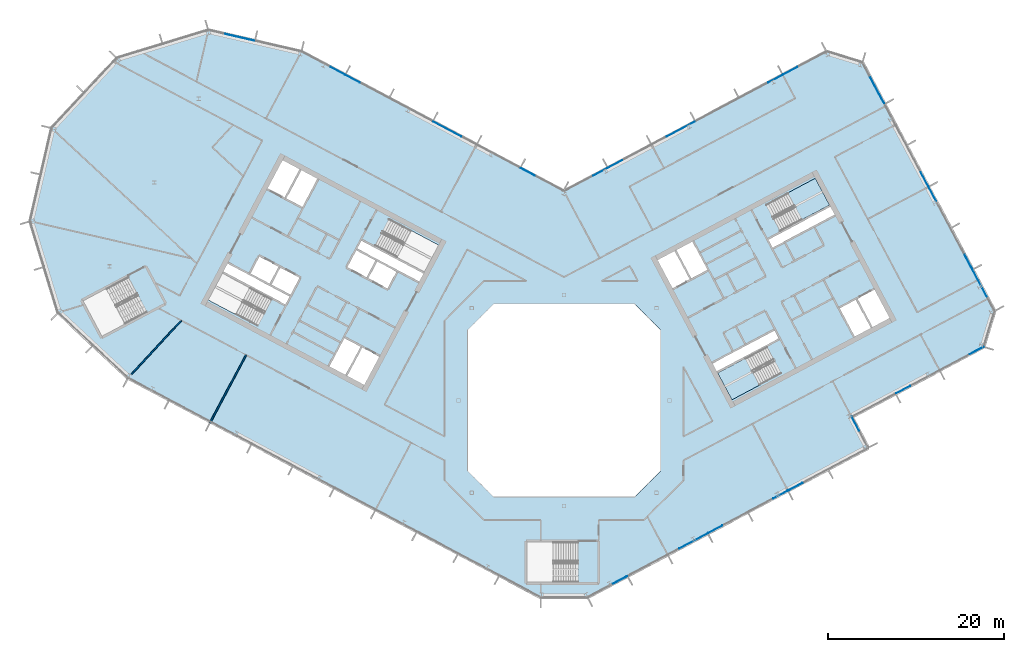
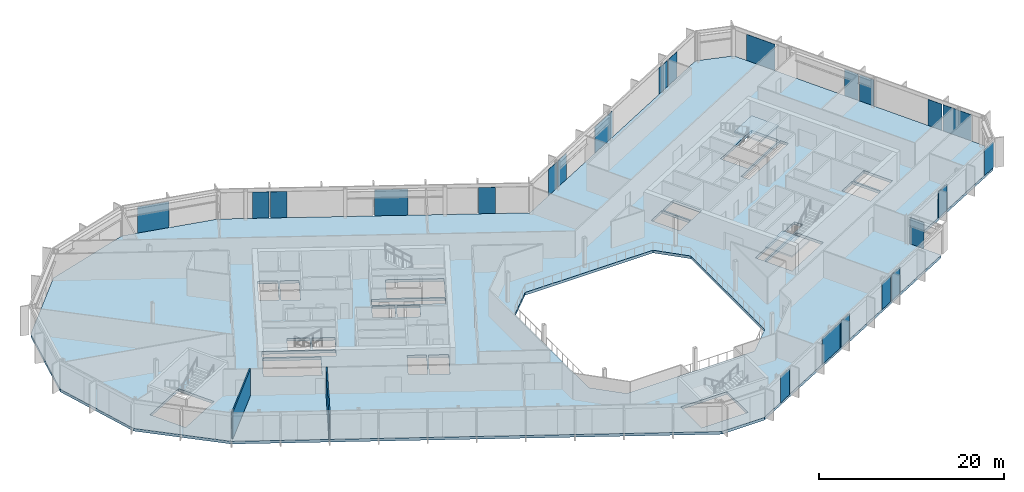
# One storey, part 12 of 27: 23 plates, 3 slabs, 2 walls, 9 elements without a shape of their own.
"""IFC4 building model written with IfcOpenShell, lengths in metres."""

from ifc_helpers import new_model, si_unit, direction, frame, frame_2d, origin, origin_2d, place, context, subcontext, project, spatial, polyline, rectangle, outline, extrude, material, layer, layer_set, type_object, element, aggregate, save


model = new_model("IFC4")

# Units and contexts
model_context = context("Model", 3, precision=1e-05, world=origin(), true_north=direction((0.0, 1.0)))
body_context = subcontext(model_context, "Body", "Model", "MODEL_VIEW")
ifc_project = project(units=[si_unit("LENGTHUNIT", "METRE"), si_unit("AREAUNIT", "SQUARE_METRE"), si_unit("VOLUMEUNIT", "CUBIC_METRE"), si_unit("PLANEANGLEUNIT", "RADIAN"), si_unit("MASSUNIT", "GRAM", prefix="KILO")], contexts=[model_context])

# Site, building, storey
site_placement = place(None, origin())
site = spatial("IfcSite", under=ifc_project, at=site_placement, CompositionType="ELEMENT")
building_placement = place(site_placement, origin())
building = spatial("IfcBuilding", under=site, at=building_placement, Name="Cormorant Relay Tower", CompositionType="ELEMENT")
storey_placement = place(building_placement, frame((0.0, 0.0, 240.300048828125)))
storey = spatial("IfcBuildingStorey", under=building, at=storey_placement, Name="L53", CompositionType="ELEMENT", Elevation=240.300048828125)

# Curtain wall, plates
ifc_material_1 = material(Name="Aluminium 6063-T6 anodised bronze", Category="aluminium")
ifc_layer_1 = layer(ifc_material_1, 0.199951171875)
ifc_layer_set_1 = layer_set([ifc_layer_1], Name="CW1 unitised bronze curtain wall with vertical fins")
curtain_wall_type = type_object("IfcCurtainWallType", Name="CW1 unitised bronze curtain wall with vertical fins", PredefinedType="NOTDEFINED", material=ifc_layer_set_1)
curtain_wall_1_placement = place(storey_placement, origin())
curtain_wall_1 = element("IfcCurtainWall", 1, at=curtain_wall_1_placement, inside=storey, type_object=curtain_wall_type, Name="CW1 curtain wall 2", PredefinedType="NOTDEFINED")
ifc_material_2 = material(Name="Tinted laminated glass", Category="glass")
ifc_layer_2 = layer(ifc_material_2, 0.0400390625)
ifc_layer_set_2 = layer_set([ifc_layer_2], Name="CW1 tinted vision panel 1800 module")
plate_type_1 = type_object("IfcPlateType", Name="CW1 tinted vision panel 1800 module", PredefinedType="CURTAIN_PANEL", material=ifc_layer_set_2)
plate_1_placement = place(storey_placement, frame((6.359130859375, -20.42529296875, 0.0), z_axis=(0.0, 0.0, 1.0), x_axis=(0.882947592859, 0.469471562786, 0.0)))
plate_1 = element("IfcPlate", 2, at=plate_1_placement, type_object=plate_type_1, Name="CW1 panel V01", PredefinedType="CURTAIN_PANEL", context=body_context, shape_type="SweptSolid", body=[
    extrude(rectangle(XDim=1.800048828125, YDim=0.0400390625, at=origin_2d()), origin(), (0.0, 0.0, 1.0), 3.449951171875),
])
plate_2_placement = place(storey_placement, frame((17.20458984375, -14.65869140625, 0.0), z_axis=(0.0, 0.0, 1.0), x_axis=(0.882947592859, 0.469471562786, 0.0)))
plate_2 = element("IfcPlate", 3, at=plate_2_placement, type_object=plate_type_1, Name="CW1 panel V04", PredefinedType="CURTAIN_PANEL", context=body_context, shape_type="SweptSolid", body=[
    extrude(rectangle(XDim=1.800048828125, YDim=0.0400390625, at=origin_2d()), origin(), (0.0, 0.0, 1.0), 3.449951171875),
])
plate_3_placement = place(storey_placement, frame((24.6064453125, -10.72314453125, 0.0), z_axis=(0.0, 0.0, 1.0), x_axis=(0.882947592859, 0.469471562786, 0.0)))
plate_3 = element("IfcPlate", 4, at=plate_3_placement, type_object=plate_type_1, Name="CW1 panel V06", PredefinedType="CURTAIN_PANEL", context=body_context, shape_type="SweptSolid", body=[
    extrude(rectangle(XDim=1.800048828125, YDim=0.0400390625, at=origin_2d()), origin(), (0.0, 0.0, 1.0), 3.449951171875),
])
plate_4_placement = place(storey_placement, frame((26.328125, -9.8076171875, 0.0), z_axis=(0.0, 0.0, 1.0), x_axis=(0.882947592859, 0.469471562786, 0.0)))
plate_4 = element("IfcPlate", 5, at=plate_4_placement, type_object=plate_type_1, Name="CW1 panel V07", PredefinedType="CURTAIN_PANEL", context=body_context, shape_type="SweptSolid", body=[
    extrude(rectangle(XDim=1.800048828125, YDim=0.0400390625, at=origin_2d()), origin(), (0.0, 0.0, 1.0), 3.449951171875),
])

# Curtain wall, plate
curtain_wall_2_placement = place(storey_placement, origin())
curtain_wall_2 = element("IfcCurtainWall", 6, at=curtain_wall_2_placement, inside=storey, type_object=curtain_wall_type, Name="CW1 curtain wall 3", PredefinedType="NOTDEFINED")
plate_5_placement = place(storey_placement, frame((33.143798828125, -2.650146484375, 0.0), z_axis=(0.0, 0.0, 1.0), x_axis=(-0.469471562786, 0.882947592859, 0.0)))
plate_5 = element("IfcPlate", 7, at=plate_5_placement, type_object=plate_type_1, Name="CW1 panel V01", PredefinedType="CURTAIN_PANEL", context=body_context, shape_type="SweptSolid", body=[
    extrude(rectangle(XDim=1.800048828125, YDim=0.0400390625, at=origin_2d()), origin(), (0.0, 0.0, 1.0), 3.449951171875),
])
aggregate(curtain_wall_2, [plate_5])

# Curtain wall, plates
curtain_wall_3_placement = place(storey_placement, origin())
curtain_wall_3 = element("IfcCurtainWall", 8, at=curtain_wall_3_placement, inside=storey, type_object=curtain_wall_type, Name="CW1 curtain wall 4", PredefinedType="NOTDEFINED")
plate_6_placement = place(storey_placement, frame((38.5771484375, 1.235595703125, 0.0), z_axis=(0.0, 0.0, 1.0), x_axis=(0.882947592859, 0.469471562786, 0.0)))
plate_6 = element("IfcPlate", 9, at=plate_6_placement, type_object=plate_type_1, Name="CW1 panel V01", PredefinedType="CURTAIN_PANEL", context=body_context, shape_type="SweptSolid", body=[
    extrude(rectangle(XDim=1.800048828125, YDim=0.0400390625, at=origin_2d()), origin(), (0.0, 0.0, 1.0), 3.449951171875),
])
plate_7_placement = place(storey_placement, frame((46.928466796875, 5.67578125, 0.0), z_axis=(0.0, 0.0, 1.0), x_axis=(0.882947592859, 0.469471562786, 0.0)))
plate_7 = element("IfcPlate", 10, at=plate_7_placement, type_object=plate_type_1, Name="CW1 panel V03", PredefinedType="CURTAIN_PANEL", context=body_context, shape_type="SweptSolid", body=[
    extrude(rectangle(XDim=1.800048828125, YDim=0.0400390625, at=origin_2d()), origin(), (0.0, 0.0, 1.0), 3.449951171875),
])
aggregate(curtain_wall_3, [plate_6, plate_7])

curtain_wall_4_placement = place(storey_placement, origin())
curtain_wall_4 = element("IfcCurtainWall", 11, at=curtain_wall_4_placement, inside=storey, type_object=curtain_wall_type, Name="CW1 curtain wall 6", PredefinedType="NOTDEFINED")
plate_8_placement = place(storey_placement, frame((46.01025390625, 15.752685546875, 0.0), z_axis=(0.0, 0.0, 1.0), x_axis=(-0.469471562786, 0.882947592859, 0.0)))
plate_8 = element("IfcPlate", 12, at=plate_8_placement, type_object=plate_type_1, Name="CW1 panel V02", PredefinedType="CURTAIN_PANEL", context=body_context, shape_type="SweptSolid", body=[
    extrude(rectangle(XDim=1.800048828125, YDim=0.0400390625, at=origin_2d()), origin(), (0.0, 0.0, 1.0), 3.449951171875),
])
plate_9_placement = place(storey_placement, frame((41.91796875, 23.448974609375, 0.0), z_axis=(0.0, 0.0, 1.0), x_axis=(-0.469471562786, 0.882947592859, 0.0)))
plate_9 = element("IfcPlate", 13, at=plate_9_placement, type_object=plate_type_1, Name="CW1 panel V04", PredefinedType="CURTAIN_PANEL", context=body_context, shape_type="SweptSolid", body=[
    extrude(rectangle(XDim=1.800048828125, YDim=0.0400390625, at=origin_2d()), origin(), (0.0, 0.0, 1.0), 3.449951171875),
])
plate_10_placement = place(storey_placement, frame((41.00244140625, 25.1708984375, 0.0), z_axis=(0.0, 0.0, 1.0), x_axis=(-0.469471562786, 0.882947592859, 0.0)))
plate_10 = element("IfcPlate", 14, at=plate_10_placement, type_object=plate_type_1, Name="CW1 panel V05", PredefinedType="CURTAIN_PANEL", context=body_context, shape_type="SweptSolid", body=[
    extrude(rectangle(XDim=1.800048828125, YDim=0.0400390625, at=origin_2d()), origin(), (0.0, 0.0, 1.0), 3.449951171875),
])

curtain_wall_5_placement = place(storey_placement, origin())
curtain_wall_5 = element("IfcCurtainWall", 15, at=curtain_wall_5_placement, inside=storey, type_object=curtain_wall_type, Name="CW1 curtain wall 8", PredefinedType="NOTDEFINED")
plate_11_placement = place(storey_placement, frame((25.746337890625, 37.49609375, 0.0), z_axis=(0.0, 0.0, 1.0), x_axis=(-0.882947592859, -0.469471562786, 0.0)))
plate_11 = element("IfcPlate", 16, at=plate_11_placement, type_object=plate_type_1, Name="CW1 panel V01", PredefinedType="CURTAIN_PANEL", context=body_context, shape_type="SweptSolid", body=[
    extrude(rectangle(XDim=1.800048828125, YDim=0.0400390625, at=origin_2d()), origin(), (0.0, 0.0, 1.0), 3.449951171875),
])
plate_12_placement = place(storey_placement, frame((24.0244140625, 36.580810546875, 0.0), z_axis=(0.0, 0.0, 1.0), x_axis=(-0.882947592859, -0.469471562786, 0.0)))
plate_12 = element("IfcPlate", 17, at=plate_12_placement, type_object=plate_type_1, Name="CW1 panel V02", PredefinedType="CURTAIN_PANEL", context=body_context, shape_type="SweptSolid", body=[
    extrude(rectangle(XDim=1.800048828125, YDim=0.0400390625, at=origin_2d()), origin(), (0.0, 0.0, 1.0), 3.449951171875),
])
plate_13_placement = place(storey_placement, frame((5.830322265625, 26.90673828125, 0.0), z_axis=(0.0, 0.0, 1.0), x_axis=(-0.882947592859, -0.469471562786, 0.0)))
plate_13 = element("IfcPlate", 18, at=plate_13_placement, type_object=plate_type_1, Name="CW1 panel V06", PredefinedType="CURTAIN_PANEL", context=body_context, shape_type="SweptSolid", body=[
    extrude(rectangle(XDim=1.800048828125, YDim=0.0400390625, at=origin_2d()), origin(), (0.0, 0.0, 1.0), 3.449951171875),
])
plate_14_placement = place(storey_placement, frame((4.108642578125, 25.9912109375, 0.0), z_axis=(0.0, 0.0, 1.0), x_axis=(-0.882947592859, -0.469471562786, 0.0)))
plate_14 = element("IfcPlate", 19, at=plate_14_placement, type_object=plate_type_1, Name="CW1 panel V07", PredefinedType="CURTAIN_PANEL", context=body_context, shape_type="SweptSolid", body=[
    extrude(rectangle(XDim=1.800048828125, YDim=0.0400390625, at=origin_2d()), origin(), (0.0, 0.0, 1.0), 3.449951171875),
])

curtain_wall_6_placement = place(storey_placement, origin())
curtain_wall_6 = element("IfcCurtainWall", 20, at=curtain_wall_6_placement, inside=storey, type_object=curtain_wall_type, Name="CW1 curtain wall 9", PredefinedType="NOTDEFINED")
plate_15_placement = place(storey_placement, frame((-4.108642578125, 25.9912109375, 0.0), z_axis=(0.0, 0.0, 1.0), x_axis=(-0.882947592859, 0.469471562786, 0.0)))
plate_15 = element("IfcPlate", 21, at=plate_15_placement, type_object=plate_type_1, Name="CW1 panel V01", PredefinedType="CURTAIN_PANEL", context=body_context, shape_type="SweptSolid", body=[
    extrude(rectangle(XDim=1.800048828125, YDim=0.0400390625, at=origin_2d()), origin(), (0.0, 0.0, 1.0), 3.449951171875),
])
plate_16_placement = place(storey_placement, frame((-24.0244140625, 36.580810546875, 0.0), z_axis=(0.0, 0.0, 1.0), x_axis=(-0.882947592859, 0.469471562786, 0.0)))
plate_16 = element("IfcPlate", 22, at=plate_16_placement, type_object=plate_type_1, Name="CW1 panel V05", PredefinedType="CURTAIN_PANEL", context=body_context, shape_type="SweptSolid", body=[
    extrude(rectangle(XDim=1.800048828125, YDim=0.0400390625, at=origin_2d()), origin(), (0.0, 0.0, 1.0), 3.449951171875),
])
plate_17_placement = place(storey_placement, frame((-25.746337890625, 37.49609375, 0.0), z_axis=(0.0, 0.0, 1.0), x_axis=(-0.882947592859, 0.469471562786, 0.0)))
plate_17 = element("IfcPlate", 23, at=plate_17_placement, type_object=plate_type_1, Name="CW1 panel V06", PredefinedType="CURTAIN_PANEL", context=body_context, shape_type="SweptSolid", body=[
    extrude(rectangle(XDim=1.800048828125, YDim=0.0400390625, at=origin_2d()), origin(), (0.0, 0.0, 1.0), 3.449951171875),
])

# Plate
ifc_material_3 = material(Name="Tinted laminated glass", Category="glass")
ifc_layer_3 = layer(ifc_material_3, 0.0400390625)
ifc_layer_set_3 = layer_set([ifc_layer_3], Name="CW1 tinted vision panel 3600 module")
plate_type_2 = type_object("IfcPlateType", Name="CW1 tinted vision panel 3600 module", PredefinedType="CURTAIN_PANEL", material=ifc_layer_set_3)
plate_18_placement = place(storey_placement, frame((14.68798828125, -15.996826171875, 0.0), z_axis=(0.0, 0.0, 1.0), x_axis=(0.882947592859, 0.469471562786, 0.0)))
plate_18 = element("IfcPlate", 24, at=plate_18_placement, type_object=plate_type_2, Name="CW1 panel V03", PredefinedType="CURTAIN_PANEL", context=body_context, shape_type="SweptSolid", body=[
    extrude(rectangle(XDim=3.60009765625, YDim=0.0400390625, at=origin_2d()), origin(), (0.0, 0.0, 1.0), 3.449951171875),
])

aggregate(curtain_wall_1, [plate_1, plate_18, plate_2, plate_3, plate_4])

plate_19_placement = place(storey_placement, frame((47.34814453125, 13.236328125, 0.0), z_axis=(0.0, 0.0, 1.0), x_axis=(-0.469471562786, 0.882947592859, 0.0)))
plate_19 = element("IfcPlate", 25, at=plate_19_placement, type_object=plate_type_2, Name="CW1 panel V01", PredefinedType="CURTAIN_PANEL", context=body_context, shape_type="SweptSolid", body=[
    extrude(rectangle(XDim=3.60009765625, YDim=0.0400390625, at=origin_2d()), origin(), (0.0, 0.0, 1.0), 3.449951171875),
])

plate_20_placement = place(storey_placement, frame((35.572265625, 35.383544921875, 0.0), z_axis=(0.0, 0.0, 1.0), x_axis=(-0.469471562786, 0.882947592859, 0.0)))
plate_20 = element("IfcPlate", 26, at=plate_20_placement, type_object=plate_type_2, Name="CW1 panel V07", PredefinedType="CURTAIN_PANEL", context=body_context, shape_type="SweptSolid", body=[
    extrude(rectangle(XDim=3.60009765625, YDim=0.0400390625, at=origin_2d()), origin(), (0.0, 0.0, 1.0), 3.449951171875),
])

aggregate(curtain_wall_4, [plate_19, plate_8, plate_9, plate_10, plate_20])

plate_21_placement = place(storey_placement, frame((13.27197265625, 30.86328125, 0.0), z_axis=(0.0, 0.0, 1.0), x_axis=(-0.882947592859, -0.469471562786, 0.0)))
plate_21 = element("IfcPlate", 27, at=plate_21_placement, type_object=plate_type_2, Name="CW1 panel V04", PredefinedType="CURTAIN_PANEL", context=body_context, shape_type="SweptSolid", body=[
    extrude(rectangle(XDim=3.60009765625, YDim=0.0400390625, at=origin_2d()), origin(), (0.0, 0.0, 1.0), 3.449951171875),
])

aggregate(curtain_wall_5, [plate_11, plate_12, plate_21, plate_13, plate_14])

plate_22_placement = place(storey_placement, frame((-13.27197265625, 30.86328125, 0.0), z_axis=(0.0, 0.0, 1.0), x_axis=(-0.882947592859, 0.469471562786, 0.0)))
plate_22 = element("IfcPlate", 28, at=plate_22_placement, type_object=plate_type_2, Name="CW1 panel V03", PredefinedType="CURTAIN_PANEL", context=body_context, shape_type="SweptSolid", body=[
    extrude(rectangle(XDim=3.60009765625, YDim=0.0400390625, at=origin_2d()), origin(), (0.0, 0.0, 1.0), 3.449951171875),
])

aggregate(curtain_wall_6, [plate_15, plate_22, plate_16, plate_17])

# Curtain wall, plate
curtain_wall_7_placement = place(storey_placement, origin())
curtain_wall_7 = element("IfcCurtainWall", 29, at=curtain_wall_7_placement, inside=storey, type_object=curtain_wall_type, Name="CW1 curtain wall 10", PredefinedType="NOTDEFINED")
plate_23_placement = place(storey_placement, frame((-36.9921875, 41.33203125, 0.0), z_axis=(0.0, 0.0, 1.0), x_axis=(-0.974370064785, 0.224951054344, 0.0)))
plate_23 = element("IfcPlate", 30, at=plate_23_placement, type_object=plate_type_2, Name="CW1 panel V01", PredefinedType="CURTAIN_PANEL", context=body_context, shape_type="SweptSolid", body=[
    extrude(rectangle(XDim=3.60009765625, YDim=0.0400390625, at=origin_2d()), origin(), (0.0, 0.0, 1.0), 3.449951171875),
])
aggregate(curtain_wall_7, [plate_23])

# Stair, slab
ifc_material_4 = material(Name="Concrete 40 MPa", Category="concrete")
stair_type = type_object("IfcStairType", Name="Exit stair 1500", PredefinedType="HALF_TURN_STAIR", material=ifc_material_4)
stair_1_placement = place(storey_placement, origin())
stair_1 = element("IfcStair", 31, at=stair_1_placement, inside=storey, type_object=stair_type, Name="L53 Stair", PredefinedType="HALF_TURN_STAIR")
ifc_material_5 = material(Name="Concrete 40 MPa", Category="concrete")
ifc_layer_4 = layer(ifc_material_5, 0.199951171875)
ifc_layer_set_4 = layer_set([ifc_layer_4], Name="Exit stair landing 200")
slab_type_1 = type_object("IfcSlabType", Name="Exit stair landing 200", PredefinedType="LANDING", material=ifc_layer_set_4)
slab_1_placement = place(storey_placement, frame((0.0, 0.0, 1.75)))
slab_1 = element("IfcSlab", 32, at=slab_1_placement, type_object=slab_type_1, Name="B1 landing 1", PredefinedType="LANDING", context=body_context, shape_type="SweptSolid", body=[
    extrude(outline(polyline([(20.614990234375, 4.78857421875), (17.48046875, 3.1220703125), (19.10009765625, 0.075927734375), (22.234619140625, 1.742431640625), (20.614990234375, 4.78857421875)])), origin(), (0.0, 0.0, 1.0), 0.199951171875),
])
aggregate(stair_1, [slab_1])

stair_2_placement = place(storey_placement, origin())
stair_2 = element("IfcStair", 33, at=stair_2_placement, inside=storey, type_object=stair_type, Name="L53 Stair", PredefinedType="HALF_TURN_STAIR")
slab_2_placement = place(storey_placement, frame((0.0, 0.0, 1.75)))
slab_2 = element("IfcSlab", 34, at=slab_2_placement, type_object=slab_type_1, Name="B2 landing 1", PredefinedType="LANDING", context=body_context, shape_type="SweptSolid", body=[
    extrude(outline(polyline([(27.064208984375, 20.562744140625), (30.19873046875, 22.2294921875), (28.5791015625, 25.275634765625), (25.444580078125, 23.60888671875), (27.064208984375, 20.562744140625)])), origin(), (0.0, 0.0, 1.0), 0.199951171875),
])
aggregate(stair_2, [slab_2])

# Slab
ifc_material_6 = material(Name="Concrete 40 MPa", Category="concrete")
ifc_layer_5 = layer(ifc_material_6, 0.360107421875)
ifc_layer_set_5 = layer_set([ifc_layer_5], Name="Flat plate 360")
slab_type_2 = type_object("IfcSlabType", Name="Flat plate 360", PredefinedType="FLOOR", material=ifc_layer_set_5)
slab_3_placement = place(storey_placement, frame((0.0, 0.0, -0.360107421875)))
element("IfcSlab", 35, at=slab_3_placement, inside=storey, type_object=slab_type_2, Name="Floor slab L53", PredefinedType="FLOOR", context=body_context, shape_type="SweptSolid", body=[
    extrude(outline(polyline([(-60.7197265625, 20.393310546875), (-58.2744140625, 30.985107421875), (-50.86083984375, 38.935302734375), (-40.465576171875, 42.11328125), (-29.873779296875, 39.668212890625), (0.0, 23.783935546875), (29.873779296875, 39.668212890625), (33.930908203125, 38.427734375), (48.9541015625, 10.17333984375), (47.713623046875, 6.1162109375), (32.70361328125, -1.864990234375), (34.581298828125, -5.396728515625), (2.648681640625, -22.37548828125), (-2.648681640625, -22.37548828125), (-49.591552734375, 2.584228515625), (-57.541748046875, 9.997802734375), (-60.7197265625, 20.393310546875)]), holes=[polyline([(11.0, -8.0), (11.0, 8.0), (8.0, 11.0), (-8.0, 11.0), (-11.0, 8.0), (-11.0, -8.0), (-8.0, -11.0), (8.0, -11.0), (11.0, -8.0)]), polyline([(-22.95458984375, 6.03271484375), (-24.668212890625, 2.81005859375), (-22.725830078125, 1.777099609375), (-21.01220703125, 5.0), (-23.04296875, 6.07958984375), (-22.95458984375, 6.03271484375)]), polyline([(-24.985595703125, 7.112548828125), (-26.69921875, 3.889892578125), (-24.844970703125, 2.90380859375), (-23.13134765625, 6.126708984375), (-23.04296875, 6.07958984375), (-24.985595703125, 7.112548828125)]), polyline([(-54.69970703125, 11.330810546875), (-52.563720703125, 7.3134765625), (-47.442626953125, 10.036376953125), (-49.57861328125, 14.0537109375), (-54.69970703125, 11.330810546875)]), polyline([(-33.240966796875, 11.502197265625), (-38.847900390625, 14.483154296875), (-40.46728515625, 11.43701171875), (-34.860595703125, 8.455810546875), (-33.240966796875, 11.502197265625)]), polyline([(-38.260986328125, 15.5869140625), (-38.75390625, 14.659912109375), (-31.690185546875, 10.904052734375), (-31.197265625, 11.8310546875), (-38.260986328125, 15.5869140625)]), polyline([(-31.103515625, 12.0078125), (-30.070556640625, 13.9501953125), (-32.278076171875, 15.123779296875), (-33.310791015625, 13.181396484375), (-31.103515625, 12.0078125)]), polyline([(-22.2880859375, 13.889404296875), (-20.080810546875, 12.7158203125), (-19.048095703125, 14.658203125), (-21.25537109375, 15.831787109375), (-22.2880859375, 13.889404296875)]), polyline([(-34.661865234375, 16.3916015625), (-35.69482421875, 14.448974609375), (-33.4873046875, 13.275390625), (-32.45458984375, 15.2177734375), (-34.661865234375, 16.3916015625)]), polyline([(-22.46484375, 13.9833984375), (-21.431884765625, 15.92578125), (-23.639404296875, 17.099609375), (-24.672119140625, 15.156982421875), (-22.46484375, 13.9833984375)]), polyline([(-31.611572265625, 22.980712890625), (-29.75732421875, 21.99462890625), (-28.043701171875, 25.217529296875), (-29.89794921875, 26.203369140625), (-31.611572265625, 22.980712890625)]), polyline([(-32.01708984375, 27.330078125), (-33.73046875, 24.107421875), (-31.7880859375, 23.074462890625), (-30.074462890625, 26.29736328125), (-32.01708984375, 27.330078125)]), polyline([(-4.199951171875, -16.125), (-4.199951171875, -20.675048828125), (1.60009765625, -20.675048828125), (1.60009765625, -16.125), (-4.199951171875, -16.125)]), polyline([(17.48046875, 3.1220703125), (19.10009765625, 0.07568359375), (24.706787109375, 3.056884765625), (23.087158203125, 6.10302734375), (17.48046875, 3.1220703125)]), polyline([(17.386474609375, 3.298583984375), (24.4501953125, 7.054443359375), (23.957275390625, 7.9814453125), (16.8935546875, 4.2255859375), (17.386474609375, 3.298583984375)]), polyline([(33.197021484375, 11.478515625), (31.3427734375, 10.49267578125), (33.056396484375, 7.27001953125), (34.910400390625, 8.255859375), (33.197021484375, 11.478515625)]), polyline([(33.37353515625, 11.572509765625), (35.087158203125, 8.349609375), (37.029541015625, 9.382568359375), (35.31591796875, 12.605224609375), (33.37353515625, 11.572509765625)]), polyline([(14.3056640625, 13.779052734375), (12.592041015625, 17.001708984375), (10.649658203125, 15.968994140625), (12.36328125, 12.74609375), (14.39404296875, 13.825927734375), (14.3056640625, 13.779052734375)]), polyline([(16.33642578125, 14.85888671875), (14.622802734375, 18.08154296875), (12.768798828125, 17.095703125), (14.482421875, 13.872802734375), (14.39404296875, 13.825927734375), (16.33642578125, 14.85888671875)]), polyline([(-16.481689453125, 13.520263671875), (-15.989013671875, 14.447509765625), (-23.052490234375, 18.203125), (-23.54541015625, 17.276123046875), (-16.481689453125, 13.520263671875)]), polyline([(-15.89501953125, 14.6240234375), (-14.275390625, 17.670166015625), (-19.882080078125, 20.6513671875), (-21.501708984375, 17.605224609375), (-15.89501953125, 14.6240234375)]), polyline([(30.78564453125, 21.125732421875), (30.29248046875, 22.052978515625), (23.22900390625, 18.297119140625), (23.721923828125, 17.3701171875), (30.78564453125, 21.125732421875)]), polyline([(24.592041015625, 19.248291015625), (30.19873046875, 22.2294921875), (28.5791015625, 25.275634765625), (22.972412109375, 22.29443359375), (24.592041015625, 19.248291015625)])]), origin(), (0.0, 0.0, 1.0), 0.360107421875),
])

# Walls
ifc_material_7 = material(Name="Gypsum board partition")
ifc_layer_6 = layer(ifc_material_7, 0.14990234375)
ifc_layer_set_6 = layer_set([ifc_layer_6], Name="Tenant partition 150")
wall_type = type_object("IfcWallType", Name="Tenant partition 150", PredefinedType="PARTITIONING", material=ifc_layer_set_6)
wall_1_placement = place(storey_placement, frame((-43.51904296875, 9.095947265625, 0.0), z_axis=(0.0, 0.0, 1.0), x_axis=(-0.681976527411, -0.731374060287, 0.0)))
element("IfcWall", 36, at=wall_1_placement, inside=storey, type_object=wall_type, Name="wall/L53/part/008", PredefinedType="PARTITIONING", context=body_context, shape_type="SweptSolid", body=[
    extrude(rectangle(XDim=8.402099609375, YDim=0.14990234375, at=frame_2d((4.201171875, 0.0))), origin(), (0.0, 0.0, 1.0), 3.5400390625),
])
wall_2_placement = place(storey_placement, frame((-36.166015625, 5.18603515625, 0.0), z_axis=(0.0, 0.0, 1.0), x_axis=(-0.469445946219, -0.882961212952, 0.0)))
element("IfcWall", 37, at=wall_2_placement, inside=storey, type_object=wall_type, Name="wall/L53/part/009", PredefinedType="PARTITIONING", context=body_context, shape_type="SweptSolid", body=[
    extrude(rectangle(XDim=8.800048828125, YDim=0.14990234375, at=frame_2d((4.39990234375, 0.0))), origin(), (0.0, 0.0, 1.0), 3.5400390625),
])

save(model, "model.ifc")
